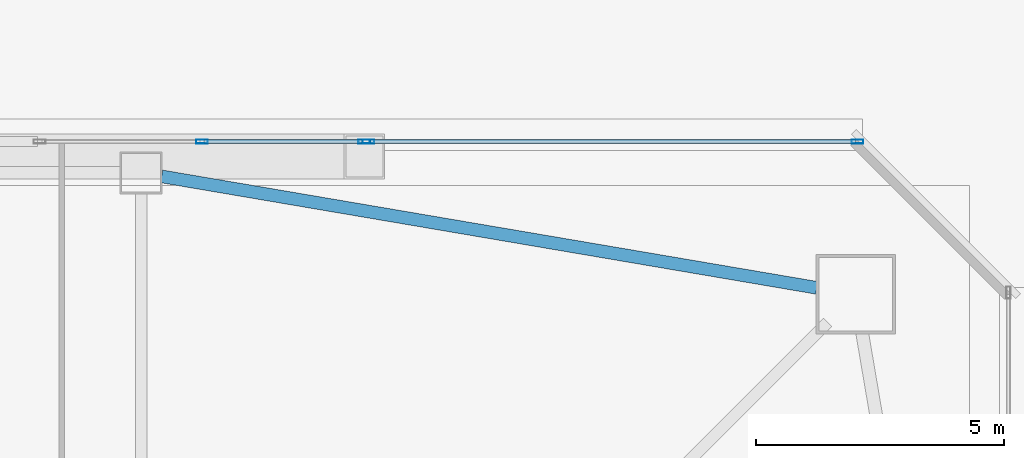
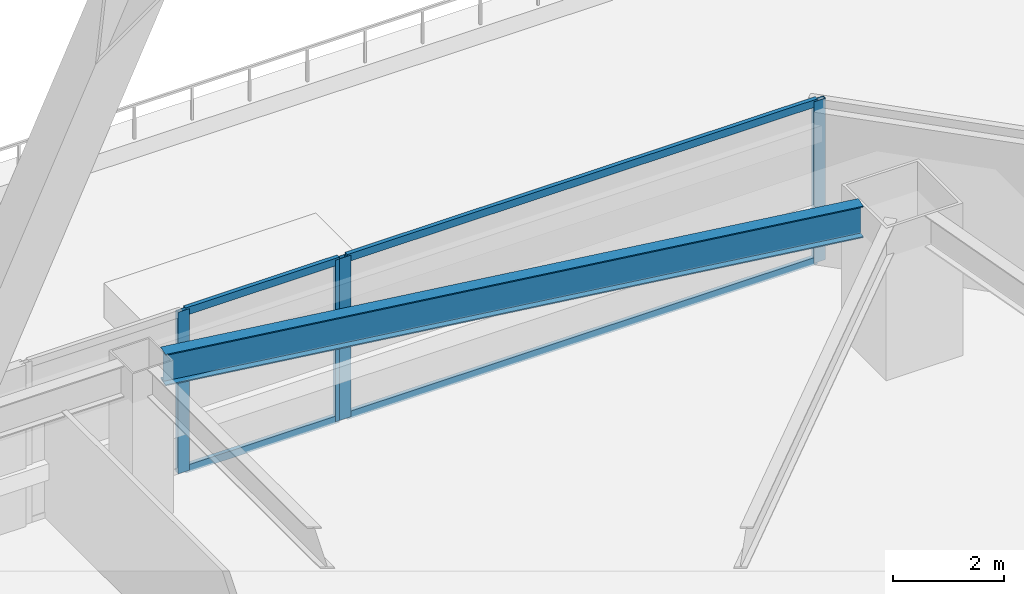
# One storey, part 22 of 83: 8 members, 1 beam, 2 elements without a shape of their own.
"""IFC4 building model written with IfcOpenShell, lengths in metres."""

from ifc_helpers import new_model, si_unit, direction, frame, origin, origin_2d, place, context, subcontext, project, spatial, hollow_rectangle, i_section, extrude, material, material_profile, profile_set, type_object, element, aggregate, save


model = new_model("IFC4")

# Units and contexts
model_context = context("Model", 3, precision=1e-05, world=origin(), true_north=direction((0.0, 1.0)))
body_context = subcontext(model_context, "Body", "Model", "MODEL_VIEW")
ifc_project = project(units=[si_unit("LENGTHUNIT", "METRE"), si_unit("AREAUNIT", "SQUARE_METRE"), si_unit("VOLUMEUNIT", "CUBIC_METRE"), si_unit("PLANEANGLEUNIT", "RADIAN"), si_unit("MASSUNIT", "GRAM", prefix="KILO")], contexts=[model_context])

# Site, building, storey
site_placement = place(None, origin())
site = spatial("IfcSite", under=ifc_project, at=site_placement, CompositionType="ELEMENT")
building_placement = place(site_placement, origin())
building = spatial("IfcBuilding", under=site, at=building_placement, Name="Tashvorn Skyway Center", CompositionType="ELEMENT")
storey_placement = place(building_placement, frame((0.0, 0.0, 24.60009765625)))
storey = spatial("IfcBuildingStorey", under=building, at=storey_placement, Name="L05", CompositionType="ELEMENT", Elevation=24.60009765625)

# Beam
ifc_material_1 = material(Name="Steel ASTM A992 Grade 50", Category="steel")
ifc_material_profile_1 = material_profile(ifc_material_1, i_section(OverallWidth=0.256103515625, OverallDepth=0.693115234375, WebThickness=0.014404296875, FlangeThickness=0.023681640625, at=origin_2d()), Name="W27X114")
ifc_profile_set_1 = profile_set([ifc_material_profile_1], Name="Steel ASTM A992 Grade 50")
beam_type = type_object("IfcBeamType", Name="BM-SPANDREL-W27X114", PredefinedType="SPANDREL", material=ifc_profile_set_1)
beam_placement = place(storey_placement, frame((61.016357421875, 51.933349609375, 3.00341796875), z_axis=(-0.985835025551, 0.16771792509, 0.0), x_axis=(-0.16771792509, -0.985835025551, 0.0)))
element("IfcBeam", 1, at=beam_placement, inside=storey, type_object=beam_type, Name="Tower 1 L05 Spandrel Beam 07", PredefinedType="SPANDREL", context=body_context, shape_type="SweptSolid", body=[
    extrude(i_section(OverallWidth=0.256103515625, OverallDepth=0.693115234375, WebThickness=0.014404296875, FlangeThickness=0.023681640625, at=origin_2d()), origin(), (0.0, 0.0, 1.0), 13.39208984375),
])

# Curtain wall, members
ifc_material_2 = material(Name="Thermally broken bronze-anodized aluminium 6063-T6", Category="aluminium")
curtain_wall_type = type_object("IfcCurtainWallType", Name="CW-CW-Z1", PredefinedType="NOTDEFINED", material=ifc_material_2)
curtain_wall_1_placement = place(storey_placement, origin())
curtain_wall_1 = element("IfcCurtainWall", 2, at=curtain_wall_1_placement, inside=storey, type_object=curtain_wall_type, Name="Tower 1 L05 North Unitised Curtain Wall Glazing Group 3", PredefinedType="NOTDEFINED")
ifc_material_profile_2 = material_profile(ifc_material_2, hollow_rectangle(XDim=0.0849609375, YDim=0.239990234375, WallThickness=0.0048828125, at=origin_2d()), Name="ALU-MULL-85x240")
ifc_profile_set_2 = profile_set([ifc_material_profile_2], Name="Thermally broken bronze-anodized aluminium 6063-T6")
member_type_1 = type_object("IfcMemberType", Name="CWM-CW-Z1", PredefinedType="MULLION", material=ifc_profile_set_2)
member_1_placement = place(storey_placement, frame((48.626708984375, 54.8798828125, 0.0), z_axis=(0.0, 0.0, 1.0), x_axis=(0.0, 1.0, 0.0)))
member_1 = element("IfcMember", 3, at=member_1_placement, type_object=member_type_1, Name="CW-Z1 mullion 2", PredefinedType="MULLION", context=body_context, shape_type="SweptSolid", body=[
    extrude(hollow_rectangle(XDim=0.0849609375, YDim=0.239990234375, WallThickness=0.0048828125, at=origin_2d()), origin(), (0.0, 0.0, 1.0), 3.5498046875),
])
member_2_placement = place(storey_placement, frame((51.8974609375, 54.8798828125, 0.0), z_axis=(0.0, 0.0, 1.0), x_axis=(0.0, 1.0, 0.0)))
member_2 = element("IfcMember", 4, at=member_2_placement, type_object=member_type_1, Name="CW-Z1 mullion 3", PredefinedType="MULLION", context=body_context, shape_type="SweptSolid", body=[
    extrude(hollow_rectangle(XDim=0.0849609375, YDim=0.239990234375, WallThickness=0.0048828125, at=origin_2d()), origin(), (0.0, 0.0, 1.0), 3.5498046875),
])

curtain_wall_2_placement = place(storey_placement, origin())
curtain_wall_2 = element("IfcCurtainWall", 5, at=curtain_wall_2_placement, inside=storey, type_object=curtain_wall_type, Name="Tower 1 L05 North Unitised Curtain Wall Glazing Group 4", PredefinedType="NOTDEFINED")
member_3_placement = place(storey_placement, frame((51.982421875, 54.8798828125, 0.0), z_axis=(0.0, 0.0, 1.0), x_axis=(0.0, 1.0, 0.0)))
member_3 = element("IfcMember", 6, at=member_3_placement, type_object=member_type_1, Name="CW-Z1 mullion 1", PredefinedType="MULLION", context=body_context, shape_type="SweptSolid", body=[
    extrude(hollow_rectangle(XDim=0.0849609375, YDim=0.239990234375, WallThickness=0.0048828125, at=origin_2d()), origin(), (0.0, 0.0, 1.0), 3.5498046875),
])
member_4_placement = place(storey_placement, frame((61.83740234375, 54.8798828125, 0.0), z_axis=(0.0, 0.0, 1.0), x_axis=(0.0, 1.0, 0.0)))
member_4 = element("IfcMember", 7, at=member_4_placement, type_object=member_type_1, Name="CW-Z1 mullion 2", PredefinedType="MULLION", context=body_context, shape_type="SweptSolid", body=[
    extrude(hollow_rectangle(XDim=0.0849609375, YDim=0.239990234375, WallThickness=0.0048828125, at=origin_2d()), origin(), (0.0, 0.0, 1.0), 3.5498046875),
])

# Member
ifc_material_profile_3 = material_profile(ifc_material_2, hollow_rectangle(XDim=0.0849609375, YDim=0.1650390625, WallThickness=0.0048828125, at=origin_2d()), Name="ALU-TRAN-85x165")
ifc_profile_set_3 = profile_set([ifc_material_profile_3], Name="Thermally broken bronze-anodized aluminium 6063-T6")
member_type_2 = type_object("IfcMemberType", Name="CWT-CW-Z1", PredefinedType="USERDEFINED", material=ifc_profile_set_3)
member_5_placement = place(storey_placement, frame((48.669189453125, 54.8798828125, 0.04248046875), z_axis=(1.0, 0.0, 0.0), x_axis=(0.0, 1.0, 0.0)))
member_5 = element("IfcMember", 8, at=member_5_placement, type_object=member_type_2, Name="CW-Z1 transom 2.1", ObjectType="TRANSOM", PredefinedType="USERDEFINED", context=body_context, shape_type="SweptSolid", body=[
    extrude(hollow_rectangle(XDim=0.0849609375, YDim=0.1650390625, WallThickness=0.0048828125, at=origin_2d()), origin(), (0.0, 0.0, 1.0), 3.185791015625),
])

member_6_placement = place(storey_placement, frame((48.669189453125, 54.8798828125, 3.50732421875), z_axis=(1.0, 0.0, 0.0), x_axis=(0.0, 1.0, 0.0)))
member_6 = element("IfcMember", 9, at=member_6_placement, type_object=member_type_2, Name="CW-Z1 transom 2.2", ObjectType="TRANSOM", PredefinedType="USERDEFINED", context=body_context, shape_type="SweptSolid", body=[
    extrude(hollow_rectangle(XDim=0.0849609375, YDim=0.1650390625, WallThickness=0.0048828125, at=origin_2d()), origin(), (0.0, 0.0, 1.0), 3.185791015625),
])

aggregate(curtain_wall_1, [member_1, member_2, member_5, member_6])

member_7_placement = place(storey_placement, frame((52.02490234375, 54.8798828125, 0.04248046875), z_axis=(1.0, 0.0, 0.0), x_axis=(0.0, 1.0, 0.0)))
member_7 = element("IfcMember", 10, at=member_7_placement, type_object=member_type_2, Name="CW-Z1 transom 1.1", ObjectType="TRANSOM", PredefinedType="USERDEFINED", context=body_context, shape_type="SweptSolid", body=[
    extrude(hollow_rectangle(XDim=0.0849609375, YDim=0.1650390625, WallThickness=0.0048828125, at=origin_2d()), origin(), (0.0, 0.0, 1.0), 9.77001953125),
])

member_8_placement = place(storey_placement, frame((52.02490234375, 54.8798828125, 3.50732421875), z_axis=(1.0, 0.0, 0.0), x_axis=(0.0, 1.0, 0.0)))
member_8 = element("IfcMember", 11, at=member_8_placement, type_object=member_type_2, Name="CW-Z1 transom 1.2", ObjectType="TRANSOM", PredefinedType="USERDEFINED", context=body_context, shape_type="SweptSolid", body=[
    extrude(hollow_rectangle(XDim=0.0849609375, YDim=0.1650390625, WallThickness=0.0048828125, at=origin_2d()), origin(), (0.0, 0.0, 1.0), 9.77001953125),
])

aggregate(curtain_wall_2, [member_3, member_4, member_7, member_8])

save(model, "model.ifc")
